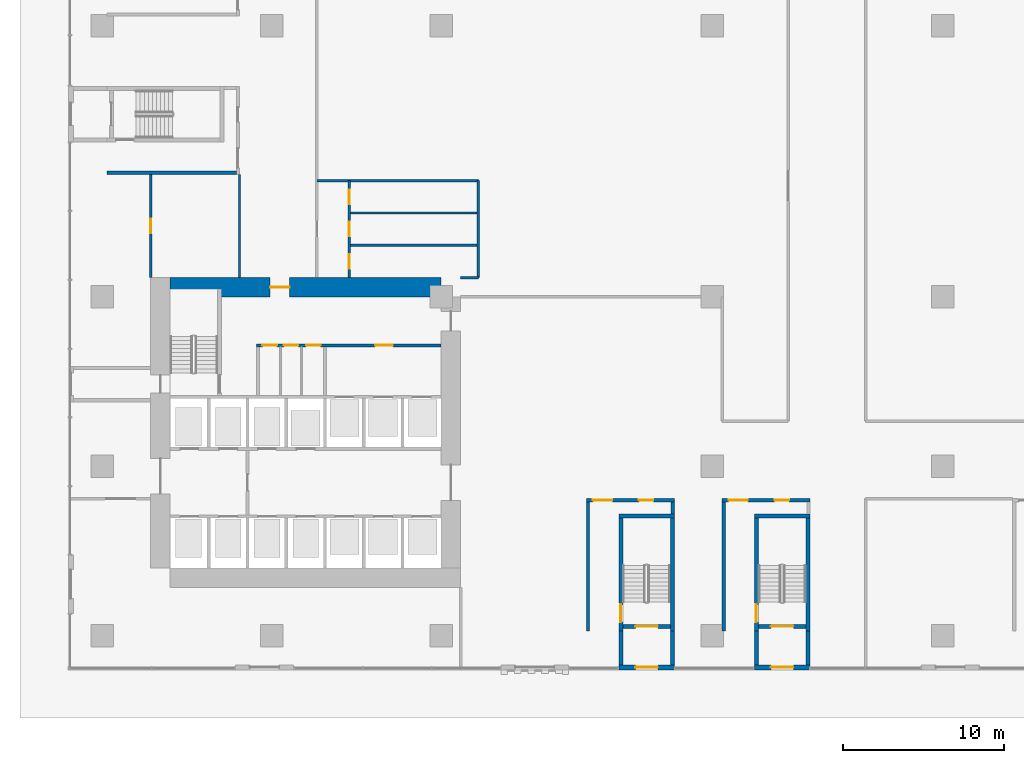
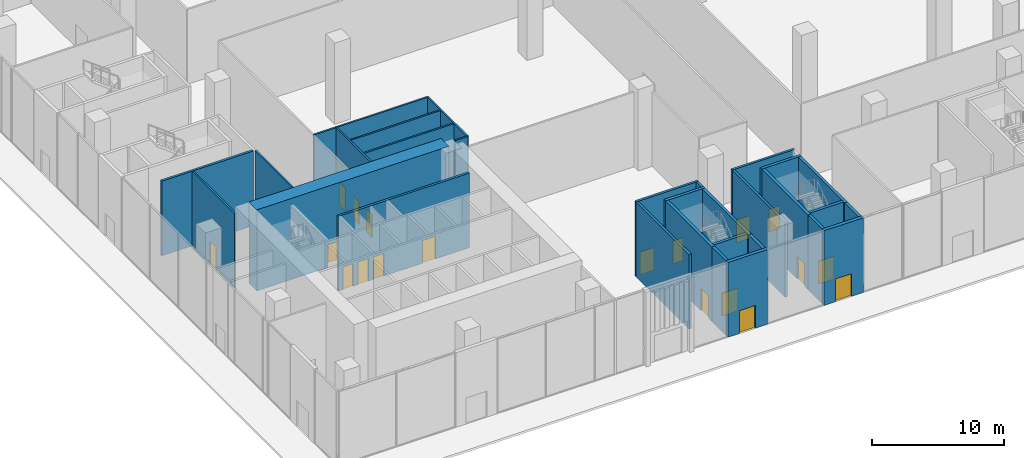
# One storey, part 14 of 26: 30 walls, 19 doors, 19 openings.
"""IFC4 building model written with IfcOpenShell, lengths in metres."""

from ifc_helpers import new_model, si_unit, direction, frame, frame_2d, origin, place, context, subcontext, project, spatial, rectangle, extrude, source, transform, mapped, material, layer, layer_set, type_object, element, fill, save


model = new_model("IFC4")

# Units and contexts
model_context = context("Model", 3, precision=1e-05, world=origin(), true_north=direction((0.0, 1.0)))
body_context = subcontext(model_context, "Body", "Model", "MODEL_VIEW")
ifc_project = project(units=[si_unit("LENGTHUNIT", "METRE"), si_unit("AREAUNIT", "SQUARE_METRE"), si_unit("VOLUMEUNIT", "CUBIC_METRE"), si_unit("PLANEANGLEUNIT", "RADIAN"), si_unit("MASSUNIT", "GRAM", prefix="KILO")], contexts=[model_context])

# Site, building, storey
site_placement = place(None, origin())
site = spatial("IfcSite", under=ifc_project, at=site_placement, CompositionType="ELEMENT")
building_placement = place(site_placement, origin())
building = spatial("IfcBuilding", under=site, at=building_placement, Name="Aurelian Terraces", CompositionType="ELEMENT")
storey_placement = place(building_placement, origin())
storey = spatial("IfcBuildingStorey", under=building, at=storey_placement, Name="L00", CompositionType="ELEMENT", Elevation=0.0)

# Wall, openings, doors
ifc_material_1 = material(Name="Gypsum board on steel studs", Category="steel")
ifc_layer_1 = layer(ifc_material_1, 0.2)
ifc_layer_set_1 = layer_set([ifc_layer_1], Name="Core partition 200")
wall_type_1 = type_object("IfcWallType", Name="Core partition 200", PredefinedType="PARTITIONING", material=ifc_layer_set_1)
wall_1_placement = place(storey_placement, frame((9.55, 18.0, 0.0), z_axis=(0.0, 0.0, 1.0), x_axis=(1.0, 0.0, 0.0)))
wall_1 = element("IfcWall", 1, at=wall_1_placement, inside=storey, type_object=wall_type_1, Name="L00 core wall CP-NORTH", PredefinedType="PARTITIONING", context=body_context, shape_type="SweptSolid", body=[
    extrude(rectangle(XDim=11.45, YDim=0.2, at=frame_2d((5.725, 0.0))), origin(), (0.0, 0.0, 1.0), 6.9),
])
shared_shape_1 = source(origin(), body_context, "Body", "SweptSolid", [
    extrude(rectangle(XDim=0.9, YDim=2.1, at=frame_2d((0.45, 1.05))), frame((0.0, 0.11, 0.0), z_axis=(0.0, -1.0, 0.0), x_axis=(1.0, 0.0, 0.0)), (0.0, 0.0, 1.0), 0.22),
])
opening_1_placement = place(wall_1_placement, frame((0.375, 0.0, 0.0)))
opening_1 = element("IfcOpeningElement", 2, at=opening_1_placement, cuts=wall_1, Name="Opening 60316", PredefinedType="OPENING", context=body_context, shape_type="MappedRepresentation", body=[
    mapped(shared_shape_1, transform((0.0, 0.0, 0.0), scale=1.0)),
])
opening_2_placement = place(wall_1_placement, frame((1.7, 0.0, 0.0)))
opening_2 = element("IfcOpeningElement", 3, at=opening_2_placement, cuts=wall_1, Name="Opening 60317", PredefinedType="OPENING", context=body_context, shape_type="MappedRepresentation", body=[
    mapped(shared_shape_1, transform((0.0, 0.0, 0.0), scale=1.0)),
])
opening_3_placement = place(wall_1_placement, frame((3.075, 0.0, 0.0)))
opening_3 = element("IfcOpeningElement", 4, at=opening_3_placement, cuts=wall_1, Name="Opening 60318", PredefinedType="OPENING", context=body_context, shape_type="MappedRepresentation", body=[
    mapped(shared_shape_1, transform((0.0, 0.0, 0.0), scale=1.0)),
])
shared_shape_2 = source(origin(), body_context, "Body", "SweptSolid", [
    extrude(rectangle(XDim=1.1, YDim=2.1, at=frame_2d((0.55, 1.05))), frame((0.0, 0.11, 0.0), z_axis=(0.0, -1.0, 0.0), x_axis=(1.0, 0.0, 0.0)), (0.0, 0.0, 1.0), 0.22),
])
opening_4_placement = place(wall_1_placement, frame((7.35, 0.0, 0.0)))
opening_4 = element("IfcOpeningElement", 5, at=opening_4_placement, cuts=wall_1, Name="Opening 60319", PredefinedType="OPENING", context=body_context, shape_type="MappedRepresentation", body=[
    mapped(shared_shape_2, transform((0.0, 0.0, 0.0), scale=1.0)),
])
ifc_material_2 = material(Name="Steel door leaf", Category="steel")
door_type_1 = type_object("IfcDoorType", Name="Core riser door 900x2100 right", OperationType="SINGLE_SWING_RIGHT", PredefinedType="DOOR", material=ifc_material_2)
shared_shape_3 = source(origin(), body_context, "Body", "SweptSolid", [
    extrude(rectangle(XDim=0.9, YDim=2.1, at=frame_2d((0.45, 1.05))), frame((0.0, 0.025, 0.0), z_axis=(0.0, -1.0, 0.0), x_axis=(1.0, 0.0, 0.0)), (0.0, 0.0, 1.0), 0.05),
])
door_1_placement = place(opening_1_placement, origin())
door_1 = element("IfcDoor", 6, at=door_1_placement, inside=storey, type_object=door_type_1, Name="Room door 60316", OperationType="SINGLE_SWING_RIGHT", OverallHeight=2.1, OverallWidth=0.9, PredefinedType="DOOR", context=body_context, shape_type="MappedRepresentation", body=[
    mapped(shared_shape_3, transform((0.0, 0.0, 0.0), scale=1.0)),
])
fill(opening_1, door_1)
door_type_2 = type_object("IfcDoorType", Name="Core service door 900x2100", OperationType="SINGLE_SWING_LEFT", PredefinedType="DOOR", material=ifc_material_2)
door_2_placement = place(opening_2_placement, origin())
door_2 = element("IfcDoor", 7, at=door_2_placement, inside=storey, type_object=door_type_2, Name="Room door 60317", OperationType="SINGLE_SWING_LEFT", OverallHeight=2.1, OverallWidth=0.9, PredefinedType="DOOR", context=body_context, shape_type="MappedRepresentation", body=[
    mapped(shared_shape_3, transform((0.0, 0.0, 0.0), scale=1.0)),
])
fill(opening_2, door_2)
door_type_3 = type_object("IfcDoorType", Name="Core service door 900x2100 right", OperationType="SINGLE_SWING_RIGHT", PredefinedType="DOOR", material=ifc_material_2)
door_3_placement = place(opening_3_placement, origin())
door_3 = element("IfcDoor", 8, at=door_3_placement, inside=storey, type_object=door_type_3, Name="Room door 60318", OperationType="SINGLE_SWING_RIGHT", OverallHeight=2.1, OverallWidth=0.9, PredefinedType="DOOR", context=body_context, shape_type="MappedRepresentation", body=[
    mapped(shared_shape_3, transform((0.0, 0.0, 0.0), scale=1.0)),
])
fill(opening_3, door_3)
door_type_4 = type_object("IfcDoorType", Name="Core fire door 1100x2100", OperationType="SINGLE_SWING_LEFT", PredefinedType="DOOR", material=ifc_material_2)
shared_shape_4 = source(origin(), body_context, "Body", "SweptSolid", [
    extrude(rectangle(XDim=1.1, YDim=2.1, at=frame_2d((0.55, 1.05))), frame((0.0, 0.025, 0.0), z_axis=(0.0, -1.0, 0.0), x_axis=(1.0, 0.0, 0.0)), (0.0, 0.0, 1.0), 0.05),
])
door_4_placement = place(opening_4_placement, origin())
door_4 = element("IfcDoor", 9, at=door_4_placement, inside=storey, type_object=door_type_4, Name="Ff lobby door 60319", OperationType="SINGLE_SWING_LEFT", OverallHeight=2.1, OverallWidth=1.1, PredefinedType="DOOR", context=body_context, shape_type="MappedRepresentation", body=[
    mapped(shared_shape_4, transform((0.0, 0.0, 0.0), scale=1.0)),
])
fill(opening_4, door_4)

# Wall
wall_2_placement = place(storey_placement, frame((38.5, 0.3, 0.0), z_axis=(0.0, 0.0, 1.0), x_axis=(0.0, 1.0, 0.0)))
element("IfcWall", 10, at=wall_2_placement, inside=storey, type_object=wall_type_1, Name="L00 core wall ST-S2-VW", PredefinedType="PARTITIONING", context=body_context, shape_type="SweptSolid", body=[
    extrude(rectangle(XDim=8.0, YDim=0.2, at=frame_2d((4.0, 0.0))), origin(), (0.0, 0.0, 1.0), 6.9),
])

# Wall, openings, doors
wall_3_placement = place(storey_placement, frame((38.4, 8.4, 0.0), z_axis=(0.0, 0.0, 1.0), x_axis=(1.0, 0.0, 0.0)))
wall_3 = element("IfcWall", 11, at=wall_3_placement, inside=storey, type_object=wall_type_1, Name="L00 core wall ST-S2-BN", PredefinedType="PARTITIONING", context=body_context, shape_type="SweptSolid", body=[
    extrude(rectangle(XDim=5.45, YDim=0.2, at=frame_2d((2.725, 0.0))), origin(), (0.0, 0.0, 1.0), 6.9),
])
shared_shape_5 = source(origin(), body_context, "Body", "SweptSolid", [
    extrude(rectangle(XDim=1.2, YDim=2.1, at=frame_2d((0.6, 1.05))), frame((0.0, 0.11, 0.0), z_axis=(0.0, -1.0, 0.0), x_axis=(1.0, 0.0, 0.0)), (0.0, 0.0, 1.0), 0.22),
])
opening_5_placement = place(wall_3_placement, frame((0.4, 0.0, 0.0)))
opening_5 = element("IfcOpeningElement", 12, at=opening_5_placement, cuts=wall_3, Name="Opening 60322", PredefinedType="OPENING", context=body_context, shape_type="MappedRepresentation", body=[
    mapped(shared_shape_5, transform((0.0, 0.0, 0.0), scale=1.0)),
])
opening_6_placement = place(wall_3_placement, frame((3.25, 0.0, 0.0)))
opening_6 = element("IfcOpeningElement", 13, at=opening_6_placement, cuts=wall_3, Name="Opening 60323", PredefinedType="OPENING", context=body_context, shape_type="MappedRepresentation", body=[
    mapped(shared_shape_1, transform((0.0, 0.0, 0.0), scale=1.0)),
])
door_type_5 = type_object("IfcDoorType", Name="Core riser door 900x2100", OperationType="SINGLE_SWING_LEFT", PredefinedType="DOOR", material=ifc_material_2)
door_5_placement = place(opening_6_placement, origin())
door_5 = element("IfcDoor", 14, at=door_5_placement, inside=storey, type_object=door_type_5, Name="Riser door 60323", OperationType="SINGLE_SWING_LEFT", OverallHeight=2.1, OverallWidth=0.9, PredefinedType="DOOR", context=body_context, shape_type="MappedRepresentation", body=[
    mapped(shared_shape_3, transform((0.0, 0.0, 0.0), scale=1.0)),
])
fill(opening_6, door_5)
door_type_6 = type_object("IfcDoorType", Name="Core fire door 1200x2100 right", OperationType="SINGLE_SWING_RIGHT", PredefinedType="DOOR", material=ifc_material_2)
shared_shape_6 = source(origin(), body_context, "Body", "SweptSolid", [
    extrude(rectangle(XDim=1.2, YDim=2.1, at=frame_2d((0.6, 1.05))), frame((0.0, 0.025, 0.0), z_axis=(0.0, -1.0, 0.0), x_axis=(1.0, 0.0, 0.0)), (0.0, 0.0, 1.0), 0.05),
])
door_6_placement = place(opening_5_placement, origin())
door_6 = element("IfcDoor", 15, at=door_6_placement, inside=storey, type_object=door_type_6, Name="Vestibule door 60322", OperationType="SINGLE_SWING_RIGHT", OverallHeight=2.1, OverallWidth=1.2, PredefinedType="DOOR", context=body_context, shape_type="MappedRepresentation", body=[
    mapped(shared_shape_6, transform((0.0, 0.0, 0.0), scale=1.0)),
])
fill(opening_5, door_6)

# Wall, opening, door
ifc_layer_2 = layer(ifc_material_1, 0.3)
ifc_layer_set_2 = layer_set([ifc_layer_2], Name="Core partition 300")
wall_type_2 = type_object("IfcWallType", Name="Core partition 300", PredefinedType="PARTITIONING", material=ifc_layer_set_2)
wall_4_placement = place(storey_placement, frame((43.85, -1.95, 0.0), z_axis=(0.0, 0.0, 1.0), x_axis=(-1.0, 0.0, 0.0)))
wall_4 = element("IfcWall", 16, at=wall_4_placement, inside=storey, type_object=wall_type_2, Name="L00 core wall ST-S2-PO", PredefinedType="PARTITIONING", context=body_context, shape_type="SweptSolid", body=[
    extrude(rectangle(XDim=3.45, YDim=0.3, at=frame_2d((1.725, 0.0))), origin(), (0.0, 0.0, 1.0), 6.9),
])
opening_7_placement = place(wall_4_placement, frame((1.025, 0.0, 0.0)))
opening_7 = element("IfcOpeningElement", 17, at=opening_7_placement, cuts=wall_4, Name="Opening 60324", PredefinedType="OPENING", context=body_context, shape_type="SweptSolid", body=[
    extrude(rectangle(XDim=1.4, YDim=2.1, at=frame_2d((0.7, 1.05))), frame((0.0, 0.16, 0.0), z_axis=(0.0, -1.0, 0.0), x_axis=(1.0, 0.0, 0.0)), (0.0, 0.0, 1.0), 0.32),
])
door_type_7 = type_object("IfcDoorType", Name="Core exit door 1400x2100", OperationType="DOUBLE_DOOR_SINGLE_SWING", PredefinedType="DOOR", material=ifc_material_2)
shared_shape_7 = source(origin(), body_context, "Body", "SweptSolid", [
    extrude(rectangle(XDim=1.4, YDim=2.1, at=frame_2d((0.7, 1.05))), frame((0.0, 0.025, 0.0), z_axis=(0.0, -1.0, 0.0), x_axis=(1.0, 0.0, 0.0)), (0.0, 0.0, 1.0), 0.05),
])
door_7_placement = place(opening_7_placement, origin())
door_7 = element("IfcDoor", 18, at=door_7_placement, inside=storey, type_object=door_type_7, Name="Exit door 60324", OperationType="DOUBLE_DOOR_SINGLE_SWING", OverallHeight=2.1, OverallWidth=1.4, PredefinedType="DOOR", context=body_context, shape_type="MappedRepresentation", body=[
    mapped(shared_shape_7, transform((0.0, 0.0, 0.0), scale=1.0)),
])
fill(opening_7, door_7)

# Walls
ifc_layer_3 = layer(ifc_material_1, 0.15)
ifc_layer_set_3 = layer_set([ifc_layer_3], Name="Special partition 150")
wall_type_3 = type_object("IfcWallType", Name="Special partition 150", PredefinedType="PARTITIONING", material=ifc_layer_set_3)
wall_5_placement = place(storey_placement, frame((22.2, 22.2, 0.0), z_axis=(0.0, 0.0, 1.0), x_axis=(1.0, 0.0, 0.0)))
element("IfcWall", 19, at=wall_5_placement, inside=storey, type_object=wall_type_3, Name="L00 partition W09", PredefinedType="PARTITIONING", context=body_context, shape_type="SweptSolid", body=[
    extrude(rectangle(XDim=1.1, YDim=0.15, at=frame_2d((0.55, 0.0))), origin(), (0.0, 0.0, 1.0), 6.9),
])
wall_6_placement = place(storey_placement, frame((15.3, 24.2, 0.0), z_axis=(0.0, 0.0, 1.0), x_axis=(1.0, 0.0, 0.0)))
element("IfcWall", 20, at=wall_6_placement, inside=storey, type_object=wall_type_3, Name="L00 partition W10", PredefinedType="PARTITIONING", context=body_context, shape_type="SweptSolid", body=[
    extrude(rectangle(XDim=8.0, YDim=0.15, at=frame_2d((4.0, 0.0))), origin(), (0.0, 0.0, 1.0), 6.9),
])
wall_7_placement = place(storey_placement, frame((13.3, 28.2, 0.0), z_axis=(0.0, 0.0, 1.0), x_axis=(1.0, 0.0, 0.0)))
element("IfcWall", 21, at=wall_7_placement, inside=storey, type_object=wall_type_3, Name="L00 partition W12", PredefinedType="PARTITIONING", context=body_context, shape_type="SweptSolid", body=[
    extrude(rectangle(XDim=10.0, YDim=0.15, at=frame_2d((5.0, 0.0))), origin(), (0.0, 0.0, 1.0), 6.9),
])

# Wall, opening, door
wall_8_placement = place(storey_placement, frame((3.0, 22.2, 0.0), z_axis=(0.0, 0.0, 1.0), x_axis=(0.0, 1.0, 0.0)))
wall_8 = element("IfcWall", 22, at=wall_8_placement, inside=storey, type_object=wall_type_3, Name="L00 partition W25", PredefinedType="PARTITIONING", context=body_context, shape_type="SweptSolid", body=[
    extrude(rectangle(XDim=6.4, YDim=0.15, at=frame_2d((3.2, 0.0))), origin(), (0.0, 0.0, 1.0), 6.9),
])
shared_shape_8 = source(origin(), body_context, "Body", "SweptSolid", [
    extrude(rectangle(XDim=0.9, YDim=2.1, at=frame_2d((0.45, 1.05))), frame((0.0, 0.085, 0.0), z_axis=(0.0, -1.0, 0.0), x_axis=(1.0, 0.0, 0.0)), (0.0, 0.0, 1.0), 0.17),
])
opening_8_placement = place(wall_8_placement, frame((2.75, 0.0, 0.0)))
opening_8 = element("IfcOpeningElement", 23, at=opening_8_placement, cuts=wall_8, Name="Opening 70306", PredefinedType="OPENING", context=body_context, shape_type="MappedRepresentation", body=[
    mapped(shared_shape_8, transform((0.0, 0.0, 0.0), scale=1.0)),
])
ifc_material_3 = material(Name="Timber door leaf", Category="wood")
door_type_8 = type_object("IfcDoorType", Name="Special door 900x2100", OperationType="SINGLE_SWING_LEFT", PredefinedType="DOOR", material=ifc_material_3)
door_8_placement = place(opening_8_placement, origin())
door_8 = element("IfcDoor", 24, at=door_8_placement, inside=storey, type_object=door_type_8, Name="Door 70306", OperationType="SINGLE_SWING_LEFT", OverallHeight=2.1, OverallWidth=0.9, PredefinedType="DOOR", context=body_context, shape_type="MappedRepresentation", body=[
    mapped(shared_shape_3, transform((0.0, 0.0, 0.0), scale=1.0)),
])
fill(opening_8, door_8)

# Wall, openings, doors
wall_9_placement = place(storey_placement, frame((15.3, 22.2, 0.0), z_axis=(0.0, 0.0, 1.0), x_axis=(0.0, 1.0, 0.0)))
wall_9 = element("IfcWall", 25, at=wall_9_placement, inside=storey, type_object=wall_type_3, Name="L00 partition W33", PredefinedType="PARTITIONING", context=body_context, shape_type="SweptSolid", body=[
    extrude(rectangle(XDim=6.0, YDim=0.15, at=frame_2d((3.0, 0.0))), origin(), (0.0, 0.0, 1.0), 6.9),
])
opening_9_placement = place(wall_9_placement, frame((0.55, 0.0, 0.0)))
opening_9 = element("IfcOpeningElement", 26, at=opening_9_placement, cuts=wall_9, Name="Opening 70309", PredefinedType="OPENING", context=body_context, shape_type="MappedRepresentation", body=[
    mapped(shared_shape_8, transform((0.0, 0.0, 0.0), scale=1.0)),
])
opening_10_placement = place(wall_9_placement, frame((2.55, 0.0, 0.0)))
opening_10 = element("IfcOpeningElement", 27, at=opening_10_placement, cuts=wall_9, Name="Opening 70310", PredefinedType="OPENING", context=body_context, shape_type="MappedRepresentation", body=[
    mapped(shared_shape_8, transform((0.0, 0.0, 0.0), scale=1.0)),
])
opening_11_placement = place(wall_9_placement, frame((4.55, 0.0, 0.0)))
opening_11 = element("IfcOpeningElement", 28, at=opening_11_placement, cuts=wall_9, Name="Opening 70311", PredefinedType="OPENING", context=body_context, shape_type="MappedRepresentation", body=[
    mapped(shared_shape_8, transform((0.0, 0.0, 0.0), scale=1.0)),
])
door_type_9 = type_object("IfcDoorType", Name="Special door 900x2100 right", OperationType="SINGLE_SWING_RIGHT", PredefinedType="DOOR", material=ifc_material_3)
door_9_placement = place(opening_9_placement, origin())
door_9 = element("IfcDoor", 29, at=door_9_placement, inside=storey, type_object=door_type_9, Name="Door 70309", OperationType="SINGLE_SWING_RIGHT", OverallHeight=2.1, OverallWidth=0.9, PredefinedType="DOOR", context=body_context, shape_type="MappedRepresentation", body=[
    mapped(shared_shape_3, transform((0.0, 0.0, 0.0), scale=1.0)),
])
fill(opening_9, door_9)
door_10_placement = place(opening_10_placement, origin())
door_10 = element("IfcDoor", 30, at=door_10_placement, inside=storey, type_object=door_type_8, Name="Door 70310", OperationType="SINGLE_SWING_LEFT", OverallHeight=2.1, OverallWidth=0.9, PredefinedType="DOOR", context=body_context, shape_type="MappedRepresentation", body=[
    mapped(shared_shape_3, transform((0.0, 0.0, 0.0), scale=1.0)),
])
fill(opening_10, door_10)
door_11_placement = place(opening_11_placement, origin())
door_11 = element("IfcDoor", 31, at=door_11_placement, inside=storey, type_object=door_type_9, Name="Door 70311", OperationType="SINGLE_SWING_RIGHT", OverallHeight=2.1, OverallWidth=0.9, PredefinedType="DOOR", context=body_context, shape_type="MappedRepresentation", body=[
    mapped(shared_shape_3, transform((0.0, 0.0, 0.0), scale=1.0)),
])
fill(opening_11, door_11)

# Wall, opening, door
ifc_material_4 = material(Name="Concrete fc' 40 MPa", Category="concrete")
ifc_layer_4 = layer(ifc_material_4, 0.25)
ifc_layer_set_4 = layer_set([ifc_layer_4], Name="Stair enclosure wall 250")
wall_type_4 = type_object("IfcWallType", Name="Stair enclosure wall 250", PredefinedType="SOLIDWALL", material=ifc_layer_set_4)
wall_10_placement = place(storey_placement, frame((40.525, 0.3, 0.0), z_axis=(0.0, 0.0, 1.0), x_axis=(0.0, 1.0, 0.0)))
wall_10 = element("IfcWall", 32, at=wall_10_placement, inside=storey, type_object=wall_type_4, Name="L00 core wall ST-S2-W", PredefinedType="SOLIDWALL", context=body_context, shape_type="SweptSolid", body=[
    extrude(rectangle(XDim=7.0, YDim=0.25, at=frame_2d((3.5, 0.0))), origin(), (0.0, 0.0, 1.0), 6.9),
])
shared_shape_9 = source(origin(), body_context, "Body", "SweptSolid", [
    extrude(rectangle(XDim=1.1, YDim=2.1, at=frame_2d((0.55, 1.05))), frame((0.0, 0.135, 0.0), z_axis=(0.0, -1.0, 0.0), x_axis=(1.0, 0.0, 0.0)), (0.0, 0.0, 1.0), 0.27),
])
opening_12_placement = place(wall_10_placement, frame((0.55, 0.0, 0.0)))
opening_12 = element("IfcOpeningElement", 33, at=opening_12_placement, cuts=wall_10, Name="Opening 60320", PredefinedType="OPENING", context=body_context, shape_type="MappedRepresentation", body=[
    mapped(shared_shape_9, transform((0.0, 0.0, 0.0), scale=1.0)),
])
door_type_10 = type_object("IfcDoorType", Name="Core fire door 1100x2100 right", OperationType="SINGLE_SWING_RIGHT", PredefinedType="DOOR", material=ifc_material_2)
door_12_placement = place(opening_12_placement, origin())
door_12 = element("IfcDoor", 34, at=door_12_placement, inside=storey, type_object=door_type_10, Name="Stair door 60320", OperationType="SINGLE_SWING_RIGHT", OverallHeight=2.1, OverallWidth=1.1, PredefinedType="DOOR", context=body_context, shape_type="MappedRepresentation", body=[
    mapped(shared_shape_4, transform((0.0, 0.0, 0.0), scale=1.0)),
])
fill(opening_12, door_12)

# Wall
wall_11_placement = place(storey_placement, frame((40.4, 7.425, 0.0), z_axis=(0.0, 0.0, 1.0), x_axis=(1.0, 0.0, 0.0)))
element("IfcWall", 35, at=wall_11_placement, inside=storey, type_object=wall_type_4, Name="L00 core wall ST-S2-N", PredefinedType="SOLIDWALL", context=body_context, shape_type="SweptSolid", body=[
    extrude(rectangle(XDim=3.45, YDim=0.25, at=frame_2d((1.725, 0.0))), origin(), (0.0, 0.0, 1.0), 6.9),
])

# Wall, opening, door
wall_12_placement = place(storey_placement, frame((40.65, 0.575, 0.0), z_axis=(0.0, 0.0, 1.0), x_axis=(1.0, 0.0, 0.0)))
wall_12 = element("IfcWall", 36, at=wall_12_placement, inside=storey, type_object=wall_type_4, Name="L00 core wall ST-S2-SS", PredefinedType="SOLIDWALL", context=body_context, shape_type="SweptSolid", body=[
    extrude(rectangle(XDim=2.95, YDim=0.25, at=frame_2d((1.475, 0.0))), origin(), (0.0, 0.0, 1.0), 6.9),
])
opening_13_placement = place(wall_12_placement, frame((0.775, 0.0, 0.0)))
opening_13 = element("IfcOpeningElement", 37, at=opening_13_placement, cuts=wall_12, Name="Opening 60321", PredefinedType="OPENING", context=body_context, shape_type="SweptSolid", body=[
    extrude(rectangle(XDim=1.4, YDim=2.1, at=frame_2d((0.7, 1.05))), frame((0.0, 0.135, 0.0), z_axis=(0.0, -1.0, 0.0), x_axis=(1.0, 0.0, 0.0)), (0.0, 0.0, 1.0), 0.27),
])
door_13_placement = place(opening_13_placement, origin())
door_13 = element("IfcDoor", 38, at=door_13_placement, inside=storey, type_object=door_type_7, Name="Exit door 60321", OperationType="DOUBLE_DOOR_SINGLE_SWING", OverallHeight=2.1, OverallWidth=1.4, PredefinedType="DOOR", context=body_context, shape_type="SweptSolid", body=[
    extrude(rectangle(XDim=1.4, YDim=2.1, at=frame_2d((0.7, 1.05))), frame((0.0, 0.025, 0.0), z_axis=(0.0, -1.0, 0.0), x_axis=(1.0, 0.0, 0.0)), (0.0, 0.0, 1.0), 0.05),
])
fill(opening_13, door_13)

# Wall
wall_13_placement = place(storey_placement, frame((40.525, -1.8, 0.0), z_axis=(0.0, 0.0, 1.0), x_axis=(0.0, 1.0, 0.0)))
element("IfcWall", 39, at=wall_13_placement, inside=storey, type_object=wall_type_4, Name="L00 core wall ST-S2-PW", PredefinedType="SOLIDWALL", context=body_context, shape_type="SweptSolid", body=[
    extrude(rectangle(XDim=2.1, YDim=0.25, at=frame_2d((1.05, 0.0))), origin(), (0.0, 0.0, 1.0), 6.9),
])

# Wall, opening, door
ifc_material_5 = material(Name="Concrete fc' 83 MPa", Category="concrete")
ifc_layer_5 = layer(ifc_material_5, 1.2)
ifc_layer_set_5 = layer_set([ifc_layer_5], Name="CORE WALL 1200 FC83")
wall_type_5 = type_object("IfcWallType", Name="CORE WALL 1200 FC83", PredefinedType="SHEAR", material=ifc_layer_set_5)
shared_shape_10 = source(origin(), body_context, "Body", "SweptSolid", [
    extrude(rectangle(XDim=16.8, YDim=1.2, at=frame_2d((8.4, 0.0))), origin(), (0.0, 0.0, 1.0), 7.5),
])
wall_14_placement = place(storey_placement, frame((4.2, 21.6, 0.0), z_axis=(0.0, 0.0, 1.0), x_axis=(1.0, 0.0, 0.0)))
wall_14 = element("IfcWall", 40, at=wall_14_placement, inside=storey, type_object=wall_type_5, Name="Core wall N L00", PredefinedType="SHEAR", context=body_context, shape_type="MappedRepresentation", body=[
    mapped(shared_shape_10, transform((0.0, 0.0, 0.0), scale=1.0)),
])
shared_shape_11 = source(origin(), body_context, "Body", "SweptSolid", [
    extrude(rectangle(XDim=1.2, YDim=2.1, at=frame_2d((0.6, 1.05))), frame((0.0, 0.61, 0.0), z_axis=(0.0, -1.0, 0.0), x_axis=(1.0, 0.0, 0.0)), (0.0, 0.0, 1.0), 1.22),
])
opening_14_placement = place(wall_14_placement, frame((6.2, 0.0, 0.0)))
opening_14 = element("IfcOpeningElement", 41, at=opening_14_placement, cuts=wall_14, Name="Opening 60353", PredefinedType="OPENING", context=body_context, shape_type="MappedRepresentation", body=[
    mapped(shared_shape_11, transform((0.0, 0.0, 0.0), scale=1.0)),
])
door_14_placement = place(opening_14_placement, origin())
door_14 = element("IfcDoor", 42, at=door_14_placement, inside=storey, type_object=door_type_6, Name="Core door 60353", OperationType="SINGLE_SWING_RIGHT", OverallHeight=2.1, OverallWidth=1.2, PredefinedType="DOOR", context=body_context, shape_type="MappedRepresentation", body=[
    mapped(shared_shape_6, transform((0.0, 0.0, 0.0), scale=1.0)),
])
fill(opening_14, door_14)

# Wall
shared_shape_12 = source(origin(), body_context, "Body", "SweptSolid", [
    extrude(rectangle(XDim=7.0, YDim=0.25, at=frame_2d((3.5, 0.0))), origin(), (0.0, 0.0, 1.0), 6.9),
])
wall_15_placement = place(storey_placement, frame((43.725, 0.3, 0.0), z_axis=(0.0, 0.0, 1.0), x_axis=(0.0, 1.0, 0.0)))
element("IfcWall", 43, at=wall_15_placement, inside=storey, type_object=wall_type_4, Name="L00 core wall ST-S2-E", PredefinedType="SOLIDWALL", context=body_context, shape_type="MappedRepresentation", body=[
    mapped(shared_shape_12, transform((0.0, 0.0, 0.0), scale=1.0)),
])

# Wall, opening, door
wall_16_placement = place(storey_placement, frame((32.125, 0.3, 0.0), z_axis=(0.0, 0.0, 1.0), x_axis=(0.0, 1.0, 0.0)))
wall_16 = element("IfcWall", 44, at=wall_16_placement, inside=storey, type_object=wall_type_4, Name="L00 core wall ST-S7-W", PredefinedType="SOLIDWALL", context=body_context, shape_type="MappedRepresentation", body=[
    mapped(shared_shape_12, transform((0.0, 0.0, 0.0), scale=1.0)),
])
opening_15_placement = place(wall_16_placement, frame((0.55, 0.0, 0.0)))
opening_15 = element("IfcOpeningElement", 45, at=opening_15_placement, cuts=wall_16, Name="Opening 60346", PredefinedType="OPENING", context=body_context, shape_type="MappedRepresentation", body=[
    mapped(shared_shape_9, transform((0.0, 0.0, 0.0), scale=1.0)),
])
door_15_placement = place(opening_15_placement, origin())
door_15 = element("IfcDoor", 46, at=door_15_placement, inside=storey, type_object=door_type_10, Name="Stair door 60346", OperationType="SINGLE_SWING_RIGHT", OverallHeight=2.1, OverallWidth=1.1, PredefinedType="DOOR", context=body_context, shape_type="MappedRepresentation", body=[
    mapped(shared_shape_4, transform((0.0, 0.0, 0.0), scale=1.0)),
])
fill(opening_15, door_15)

# Walls
wall_17_placement = place(storey_placement, frame((35.325, 0.3, 0.0), z_axis=(0.0, 0.0, 1.0), x_axis=(0.0, 1.0, 0.0)))
element("IfcWall", 47, at=wall_17_placement, inside=storey, type_object=wall_type_4, Name="L00 core wall ST-S7-E", PredefinedType="SOLIDWALL", context=body_context, shape_type="MappedRepresentation", body=[
    mapped(shared_shape_12, transform((0.0, 0.0, 0.0), scale=1.0)),
])
shared_shape_13 = source(origin(), body_context, "Body", "SweptSolid", [
    extrude(rectangle(XDim=2.1, YDim=0.25, at=frame_2d((1.05, 0.0))), origin(), (0.0, 0.0, 1.0), 6.9),
])
for number, where, z_axis, x_axis, name in (
    (48, (43.725, -1.8, 0.0), (0.0, 0.0, 1.0), (0.0, 1.0, 0.0), "L00 core wall ST-S2-PE"),
    (49, (32.125, -1.8, 0.0), (0.0, 0.0, 1.0), (0.0, 1.0, 0.0), "L00 core wall ST-S7-PW"),
    (50, (35.325, -1.8, 0.0), (0.0, 0.0, 1.0), (0.0, 1.0, 0.0), "L00 core wall ST-S7-PE"),
):
    element("IfcWall", number, at=place(storey_placement, frame(where, z_axis=z_axis, x_axis=x_axis)), inside=storey, type_object=wall_type_4, Name=name, PredefinedType="SOLIDWALL", context=body_context, shape_type="MappedRepresentation", body=[
        mapped(shared_shape_13, transform((0.0, 0.0, 0.0), scale=1.0)),
    ])
shared_shape_14 = source(origin(), body_context, "Body", "SweptSolid", [
    extrude(rectangle(XDim=3.45, YDim=0.25, at=frame_2d((1.725, 0.0))), origin(), (0.0, 0.0, 1.0), 6.9),
])
wall_18_placement = place(storey_placement, frame((32.0, 7.425, 0.0), z_axis=(0.0, 0.0, 1.0), x_axis=(1.0, 0.0, 0.0)))
element("IfcWall", 51, at=wall_18_placement, inside=storey, type_object=wall_type_4, Name="L00 core wall ST-S7-N", PredefinedType="SOLIDWALL", context=body_context, shape_type="MappedRepresentation", body=[
    mapped(shared_shape_14, transform((0.0, 0.0, 0.0), scale=1.0)),
])

# Wall, opening, door
shared_shape_15 = source(origin(), body_context, "Body", "SweptSolid", [
    extrude(rectangle(XDim=2.95, YDim=0.25, at=frame_2d((1.475, 0.0))), origin(), (0.0, 0.0, 1.0), 6.9),
])
wall_19_placement = place(storey_placement, frame((32.25, 0.575, 0.0), z_axis=(0.0, 0.0, 1.0), x_axis=(1.0, 0.0, 0.0)))
wall_19 = element("IfcWall", 52, at=wall_19_placement, inside=storey, type_object=wall_type_4, Name="L00 core wall ST-S7-SS", PredefinedType="SOLIDWALL", context=body_context, shape_type="MappedRepresentation", body=[
    mapped(shared_shape_15, transform((0.0, 0.0, 0.0), scale=1.0)),
])
shared_shape_16 = source(origin(), body_context, "Body", "SweptSolid", [
    extrude(rectangle(XDim=1.4, YDim=2.1, at=frame_2d((0.7, 1.05))), frame((0.0, 0.135, 0.0), z_axis=(0.0, -1.0, 0.0), x_axis=(1.0, 0.0, 0.0)), (0.0, 0.0, 1.0), 0.27),
])
opening_16_placement = place(wall_19_placement, frame((0.775, 0.0, 0.0)))
opening_16 = element("IfcOpeningElement", 53, at=opening_16_placement, cuts=wall_19, Name="Opening 60347", PredefinedType="OPENING", context=body_context, shape_type="MappedRepresentation", body=[
    mapped(shared_shape_16, transform((0.0, 0.0, 0.0), scale=1.0)),
])
door_16_placement = place(opening_16_placement, origin())
door_16 = element("IfcDoor", 54, at=door_16_placement, inside=storey, type_object=door_type_7, Name="Exit door 60347", OperationType="DOUBLE_DOOR_SINGLE_SWING", OverallHeight=2.1, OverallWidth=1.4, PredefinedType="DOOR", context=body_context, shape_type="MappedRepresentation", body=[
    mapped(shared_shape_7, transform((0.0, 0.0, 0.0), scale=1.0)),
])
fill(opening_16, door_16)

# Walls
shared_shape_17 = source(origin(), body_context, "Body", "SweptSolid", [
    extrude(rectangle(XDim=8.0, YDim=0.2, at=frame_2d((4.0, 0.0))), origin(), (0.0, 0.0, 1.0), 6.9),
])
for number, where, z_axis, x_axis, name in (
    (55, (0.3, 28.7, 0.0), (0.0, 0.0, 1.0), (1.0, 0.0, 0.0), "L00 core wall ST-S4-VW"),
    (56, (30.1, 0.3, 0.0), (0.0, 0.0, 1.0), (0.0, 1.0, 0.0), "L00 core wall ST-S7-VW"),
):
    element("IfcWall", number, at=place(storey_placement, frame(where, z_axis=z_axis, x_axis=x_axis)), inside=storey, type_object=wall_type_1, Name=name, PredefinedType="PARTITIONING", context=body_context, shape_type="MappedRepresentation", body=[
        mapped(shared_shape_17, transform((0.0, 0.0, 0.0), scale=1.0)),
    ])

# Wall, openings, doors
shared_shape_18 = source(origin(), body_context, "Body", "SweptSolid", [
    extrude(rectangle(XDim=5.45, YDim=0.2, at=frame_2d((2.725, 0.0))), origin(), (0.0, 0.0, 1.0), 6.9),
])
wall_20_placement = place(storey_placement, frame((30.0, 8.4, 0.0), z_axis=(0.0, 0.0, 1.0), x_axis=(1.0, 0.0, 0.0)))
wall_20 = element("IfcWall", 57, at=wall_20_placement, inside=storey, type_object=wall_type_1, Name="L00 core wall ST-S7-BN", PredefinedType="PARTITIONING", context=body_context, shape_type="MappedRepresentation", body=[
    mapped(shared_shape_18, transform((0.0, 0.0, 0.0), scale=1.0)),
])
opening_17_placement = place(wall_20_placement, frame((0.4, 0.0, 0.0)))
opening_17 = element("IfcOpeningElement", 58, at=opening_17_placement, cuts=wall_20, Name="Opening 60348", PredefinedType="OPENING", context=body_context, shape_type="MappedRepresentation", body=[
    mapped(shared_shape_5, transform((0.0, 0.0, 0.0), scale=1.0)),
])
opening_18_placement = place(wall_20_placement, frame((3.25, 0.0, 0.0)))
opening_18 = element("IfcOpeningElement", 59, at=opening_18_placement, cuts=wall_20, Name="Opening 60349", PredefinedType="OPENING", context=body_context, shape_type="MappedRepresentation", body=[
    mapped(shared_shape_1, transform((0.0, 0.0, 0.0), scale=1.0)),
])
door_17_placement = place(opening_18_placement, origin())
door_17 = element("IfcDoor", 60, at=door_17_placement, inside=storey, type_object=door_type_5, Name="Riser door 60349", OperationType="SINGLE_SWING_LEFT", OverallHeight=2.1, OverallWidth=0.9, PredefinedType="DOOR", context=body_context, shape_type="MappedRepresentation", body=[
    mapped(shared_shape_3, transform((0.0, 0.0, 0.0), scale=1.0)),
])
fill(opening_18, door_17)
door_18_placement = place(opening_17_placement, origin())
door_18 = element("IfcDoor", 61, at=door_18_placement, inside=storey, type_object=door_type_6, Name="Vestibule door 60348", OperationType="SINGLE_SWING_RIGHT", OverallHeight=2.1, OverallWidth=1.2, PredefinedType="DOOR", context=body_context, shape_type="MappedRepresentation", body=[
    mapped(shared_shape_6, transform((0.0, 0.0, 0.0), scale=1.0)),
])
fill(opening_17, door_18)

# Wall
shared_shape_19 = source(origin(), body_context, "Body", "SweptSolid", [
    extrude(rectangle(XDim=0.75, YDim=0.2, at=frame_2d((0.375, 0.0))), origin(), (0.0, 0.0, 1.0), 6.9),
])
wall_21_placement = place(storey_placement, frame((35.35, 7.55, 0.0), z_axis=(0.0, 0.0, 1.0), x_axis=(0.0, 1.0, 0.0)))
element("IfcWall", 62, at=wall_21_placement, inside=storey, type_object=wall_type_1, Name="L00 core wall ST-S7-RE", PredefinedType="PARTITIONING", context=body_context, shape_type="MappedRepresentation", body=[
    mapped(shared_shape_19, transform((0.0, 0.0, 0.0), scale=1.0)),
])

# Wall, opening, door
shared_shape_20 = source(origin(), body_context, "Body", "SweptSolid", [
    extrude(rectangle(XDim=3.45, YDim=0.3, at=frame_2d((1.725, 0.0))), origin(), (0.0, 0.0, 1.0), 6.9),
])
wall_22_placement = place(storey_placement, frame((35.45, -1.95, 0.0), z_axis=(0.0, 0.0, 1.0), x_axis=(-1.0, 0.0, 0.0)))
wall_22 = element("IfcWall", 63, at=wall_22_placement, inside=storey, type_object=wall_type_2, Name="L00 core wall ST-S7-PO", PredefinedType="PARTITIONING", context=body_context, shape_type="MappedRepresentation", body=[
    mapped(shared_shape_20, transform((0.0, 0.0, 0.0), scale=1.0)),
])
shared_shape_21 = source(origin(), body_context, "Body", "SweptSolid", [
    extrude(rectangle(XDim=1.4, YDim=2.1, at=frame_2d((0.7, 1.05))), frame((0.0, 0.16, 0.0), z_axis=(0.0, -1.0, 0.0), x_axis=(1.0, 0.0, 0.0)), (0.0, 0.0, 1.0), 0.32),
])
opening_19_placement = place(wall_22_placement, frame((1.025, 0.0, 0.0)))
opening_19 = element("IfcOpeningElement", 64, at=opening_19_placement, cuts=wall_22, Name="Opening 60350", PredefinedType="OPENING", context=body_context, shape_type="MappedRepresentation", body=[
    mapped(shared_shape_21, transform((0.0, 0.0, 0.0), scale=1.0)),
])
door_19_placement = place(opening_19_placement, origin())
door_19 = element("IfcDoor", 65, at=door_19_placement, inside=storey, type_object=door_type_7, Name="Exit door 60350", OperationType="DOUBLE_DOOR_SINGLE_SWING", OverallHeight=2.1, OverallWidth=1.4, PredefinedType="DOOR", context=body_context, shape_type="MappedRepresentation", body=[
    mapped(shared_shape_7, transform((0.0, 0.0, 0.0), scale=1.0)),
])
fill(opening_19, door_19)

# Walls
shared_shape_22 = source(origin(), body_context, "Body", "SweptSolid", [
    extrude(rectangle(XDim=8.0, YDim=0.15, at=frame_2d((4.0, 0.0))), origin(), (0.0, 0.0, 1.0), 6.9),
])
wall_23_placement = place(storey_placement, frame((15.3, 26.2, 0.0), z_axis=(0.0, 0.0, 1.0), x_axis=(1.0, 0.0, 0.0)))
element("IfcWall", 66, at=wall_23_placement, inside=storey, type_object=wall_type_3, Name="L00 partition W11", PredefinedType="PARTITIONING", context=body_context, shape_type="MappedRepresentation", body=[
    mapped(shared_shape_22, transform((0.0, 0.0, 0.0), scale=1.0)),
])
shared_shape_23 = source(origin(), body_context, "Body", "SweptSolid", [
    extrude(rectangle(XDim=6.4, YDim=0.15, at=frame_2d((3.2, 0.0))), origin(), (0.0, 0.0, 1.0), 6.9),
])
wall_24_placement = place(storey_placement, frame((8.5, 22.2, 0.0), z_axis=(0.0, 0.0, 1.0), x_axis=(0.0, 1.0, 0.0)))
element("IfcWall", 67, at=wall_24_placement, inside=storey, type_object=wall_type_3, Name="L00 partition W26", PredefinedType="PARTITIONING", context=body_context, shape_type="MappedRepresentation", body=[
    mapped(shared_shape_23, transform((0.0, 0.0, 0.0), scale=1.0)),
])
shared_shape_24 = source(origin(), body_context, "Body", "SweptSolid", [
    extrude(rectangle(XDim=6.0, YDim=0.15, at=frame_2d((3.0, 0.0))), origin(), (0.0, 0.0, 1.0), 6.9),
])
wall_25_placement = place(storey_placement, frame((23.3, 22.2, 0.0), z_axis=(0.0, 0.0, 1.0), x_axis=(0.0, 1.0, 0.0)))
element("IfcWall", 68, at=wall_25_placement, inside=storey, type_object=wall_type_3, Name="L00 partition W35", PredefinedType="PARTITIONING", context=body_context, shape_type="MappedRepresentation", body=[
    mapped(shared_shape_24, transform((0.0, 0.0, 0.0), scale=1.0)),
])

save(model, "model.ifc")
